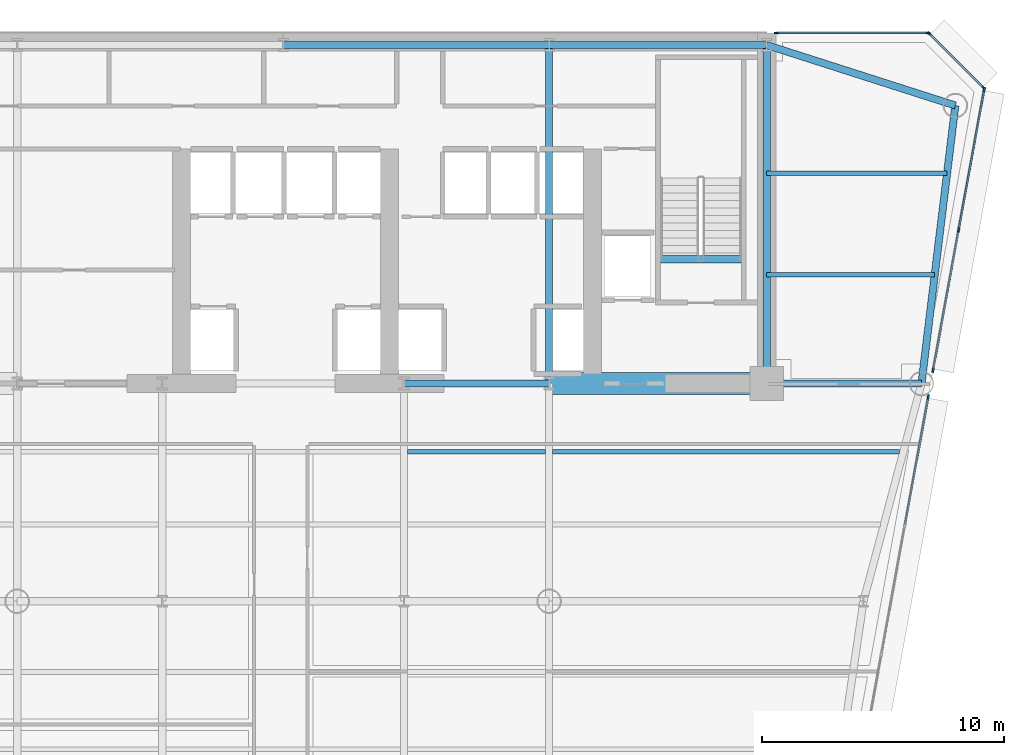
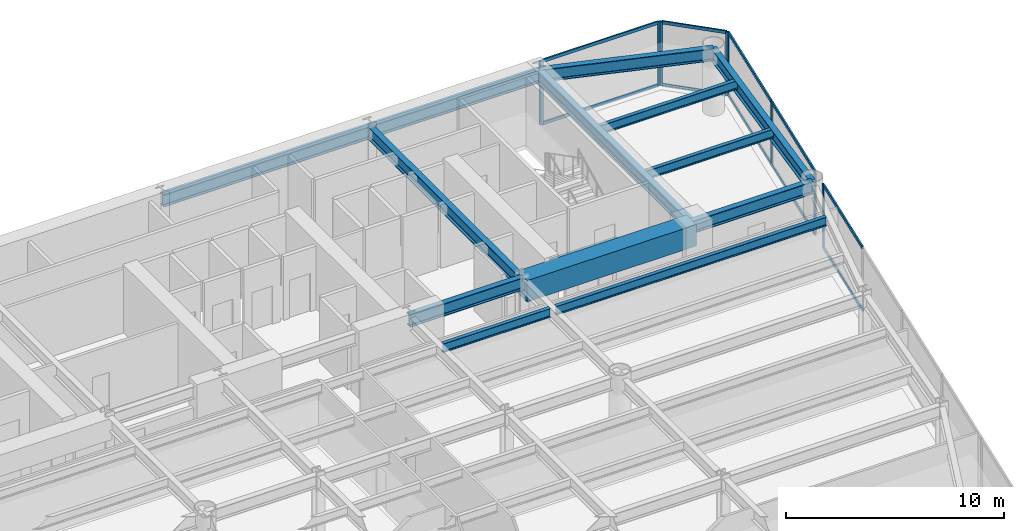
# One storey, part 6 of 14: 18 members, 14 beams, 4 elements without a shape of their own.
"""IFC4 building model written with IfcOpenShell, lengths in metres."""

from ifc_helpers import new_model, si_unit, direction, frame, origin, origin_2d, place, context, subcontext, project, spatial, rectangle, i_section, extrude, source, transform, mapped, material, layer, layer_set, material_profile, profile_set, type_object, element, aggregate, save


model = new_model("IFC4")

# Units and contexts
model_context = context("Model", 3, precision=1e-05, world=origin(), true_north=direction((0.0, 1.0)))
body_context = subcontext(model_context, "Body", "Model", "MODEL_VIEW")
ifc_project = project(units=[si_unit("LENGTHUNIT", "METRE"), si_unit("AREAUNIT", "SQUARE_METRE"), si_unit("VOLUMEUNIT", "CUBIC_METRE"), si_unit("PLANEANGLEUNIT", "RADIAN"), si_unit("MASSUNIT", "GRAM", prefix="KILO")], contexts=[model_context])

# Site, building, storey
site_placement = place(None, origin())
site = spatial("IfcSite", under=ifc_project, at=site_placement, CompositionType="ELEMENT")
building_placement = place(site_placement, origin())
building = spatial("IfcBuilding", under=site, at=building_placement, Name="Vaeldorn Concourse Tower", CompositionType="ELEMENT")
storey_placement = place(building_placement, frame((0.0, 0.0, 118.60009765625)))
storey = spatial("IfcBuildingStorey", under=building, at=storey_placement, Name="L30", CompositionType="ELEMENT", Elevation=118.60009765625)

# Beams
ifc_material_1 = material(Name="Concrete C60/75", Category="concrete")
ifc_material_profile_1 = material_profile(ifc_material_1, rectangle(XDim=0.89990234375, YDim=1.199951171875, at=origin_2d()), Name="RC 900x1200")
ifc_profile_set_1 = profile_set([ifc_material_profile_1], Name="Concrete C60/75")
beam_type_1 = type_object("IfcBeamType", Name="BM-CB-RC900", PredefinedType="BEAM", material=ifc_profile_set_1)
shared_shape_1 = source(origin(), body_context, "Body", "SweptSolid", [
    extrude(rectangle(XDim=0.89990234375, YDim=1.199951171875, at=origin_2d()), origin(), (0.0, 0.0, 1.0), 9.0),
])
beam_1_placement = place(storey_placement, frame((45.0, 36.5, 2.97998046875), z_axis=(1.0, 0.0, 0.0), x_axis=(0.0, 1.0, 0.0)))
element("IfcBeam", 1, at=beam_1_placement, inside=storey, type_object=beam_type_1, Name="Core Coupling Beam L30-2", PredefinedType="BEAM", context=body_context, shape_type="MappedRepresentation", body=[
    mapped(shared_shape_1, transform((0.0, 0.0, 0.0), scale=1.0)),
])
ifc_material_2 = material(Name="Steel S355", Category="steel")
ifc_material_profile_2 = material_profile(ifc_material_2, i_section(OverallWidth=0.300048828125, OverallDepth=0.340087890625, WebThickness=0.011962890625, FlangeThickness=0.021484375, FilletRadius=0.027099609375, at=origin_2d()), Name="HEB 340")
ifc_profile_set_2 = profile_set([ifc_material_profile_2], Name="Steel S355")
beam_type_2 = type_object("IfcBeamType", Name="BM-ST-TRIM", PredefinedType="BEAM", material=ifc_profile_set_2)
shared_shape_2 = source(origin(), body_context, "Body", "SweptSolid", [
    extrude(i_section(OverallWidth=0.300048828125, OverallDepth=0.340087890625, WebThickness=0.011962890625, FlangeThickness=0.021484375, FilletRadius=0.027099609375, at=origin_2d()), origin(), (0.0, 0.0, 1.0), 3.590087890625),
])
beam_2_placement = place(storey_placement, frame((49.47998046875, 41.639892578125, -0.39013671875), z_axis=(1.0, 0.0, 0.0), x_axis=(0.0, 1.0, 0.0)))
element("IfcBeam", 2, at=beam_2_placement, inside=storey, type_object=beam_type_2, Name="Stair Landing Trimmer Beam ST-2 L30", PredefinedType="BEAM", context=body_context, shape_type="MappedRepresentation", body=[
    mapped(shared_shape_2, transform((0.0, 0.0, 0.0), scale=1.0)),
])
ifc_material_profile_3 = material_profile(ifc_material_2, i_section(OverallWidth=0.199951171875, OverallDepth=0.5, WebThickness=0.01025390625, FlangeThickness=0.01611328125, FilletRadius=0.02099609375, at=origin_2d()), Name="IPE 500")
ifc_profile_set_3 = profile_set([ifc_material_profile_3], Name="Steel S355")
beam_type_3 = type_object("IfcBeamType", Name="BM-JS-IPE500", PredefinedType="JOIST", material=ifc_profile_set_3)
shared_shape_3 = source(origin(), body_context, "Body", "SweptSolid", [
    extrude(i_section(OverallWidth=0.199951171875, OverallDepth=0.5, WebThickness=0.01025390625, FlangeThickness=0.01611328125, FilletRadius=0.02099609375, at=origin_2d()), origin(), (0.0, 0.0, 1.0), 5.7001953125),
])
beam_3_placement = place(storey_placement, frame((39.14990234375, 33.679931640625, 3.329833984375), z_axis=(1.0, 0.0, 0.0), x_axis=(0.0, 1.0, 0.0)))
element("IfcBeam", 3, at=beam_3_placement, inside=storey, type_object=beam_type_3, Name="Beam JS-L30-E2-336", PredefinedType="JOIST", context=body_context, shape_type="MappedRepresentation", body=[
    mapped(shared_shape_3, transform((0.0, 0.0, 0.0), scale=1.0)),
])
shared_shape_4 = source(origin(), body_context, "Body", "SweptSolid", [
    extrude(i_section(OverallWidth=0.199951171875, OverallDepth=0.5, WebThickness=0.01025390625, FlangeThickness=0.01611328125, FilletRadius=0.02099609375, at=origin_2d()), origin(), (0.0, 0.0, 1.0), 6.94775390625),
])
beam_4_placement = place(storey_placement, frame((54.0, 41.0, 3.329833984375), z_axis=(1.0, 0.0, 0.0), x_axis=(0.0, 1.0, 0.0)))
element("IfcBeam", 4, at=beam_4_placement, inside=storey, type_object=beam_type_3, Name="Beam JS-L30-NE-410", PredefinedType="JOIST", context=body_context, shape_type="MappedRepresentation", body=[
    mapped(shared_shape_4, transform((0.0, 0.0, 0.0), scale=1.0)),
])
shared_shape_5 = source(origin(), body_context, "Body", "SweptSolid", [
    extrude(i_section(OverallWidth=0.199951171875, OverallDepth=0.5, WebThickness=0.01025390625, FlangeThickness=0.01611328125, FilletRadius=0.02099609375, at=origin_2d()), origin(), (0.0, 0.0, 1.0), 7.458984375),
])
beam_5_placement = place(storey_placement, frame((54.0, 45.199951171875, 3.329833984375), z_axis=(1.0, 0.0, 0.0), x_axis=(0.0, 1.0, 0.0)))
element("IfcBeam", 5, at=beam_5_placement, inside=storey, type_object=beam_type_3, Name="Beam JS-L30-NE-452", PredefinedType="JOIST", context=body_context, shape_type="MappedRepresentation", body=[
    mapped(shared_shape_5, transform((0.0, 0.0, 0.0), scale=1.0)),
])
shared_shape_6 = source(origin(), body_context, "Body", "SweptSolid", [
    extrude(i_section(OverallWidth=0.199951171875, OverallDepth=0.5, WebThickness=0.01025390625, FlangeThickness=0.01611328125, FilletRadius=0.02099609375, at=origin_2d()), origin(), (0.0, 0.0, 1.0), 14.34814453125),
])
beam_6_placement = place(storey_placement, frame((45.14990234375, 33.679931640625, 3.329833984375), z_axis=(1.0, 0.0, 0.0), x_axis=(0.0, 1.0, 0.0)))
element("IfcBeam", 6, at=beam_6_placement, inside=storey, type_object=beam_type_3, Name="Beam JS-L30-E1-336", PredefinedType="JOIST", context=body_context, shape_type="MappedRepresentation", body=[
    mapped(shared_shape_6, transform((0.0, 0.0, 0.0), scale=1.0)),
])
ifc_material_profile_4 = material_profile(ifc_material_2, i_section(OverallWidth=0.300048828125, OverallDepth=0.699951171875, WebThickness=0.01708984375, FlangeThickness=0.031982421875, FilletRadius=0.027099609375, at=origin_2d()), Name="HEB 700")
ifc_profile_set_4 = profile_set([ifc_material_profile_4], Name="Steel S355")
beam_type_4 = type_object("IfcBeamType", Name="BM-PG-HEB700", PredefinedType="BEAM", material=ifc_profile_set_4)
shared_shape_7 = source(origin(), body_context, "Body", "SweptSolid", [
    extrude(i_section(OverallWidth=0.300048828125, OverallDepth=0.699951171875, WebThickness=0.01708984375, FlangeThickness=0.031982421875, FilletRadius=0.027099609375, at=origin_2d()), origin(), (0.0, 0.0, 1.0), 6.0),
])
beam_7_placement = place(storey_placement, frame((39.0, 36.5, 3.22998046875), z_axis=(1.0, 0.0, 0.0), x_axis=(0.0, 1.0, 0.0)))
element("IfcBeam", 7, at=beam_7_placement, inside=storey, type_object=beam_type_4, Name="Beam BM-L30-C-FC4-C-FC5", PredefinedType="BEAM", context=body_context, shape_type="MappedRepresentation", body=[
    mapped(shared_shape_7, transform((0.0, 0.0, 0.0), scale=1.0)),
])
shared_shape_8 = source(origin(), body_context, "Body", "SweptSolid", [
    extrude(i_section(OverallWidth=0.300048828125, OverallDepth=0.699951171875, WebThickness=0.01708984375, FlangeThickness=0.031982421875, FilletRadius=0.027099609375, at=origin_2d()), origin(), (0.0, 0.0, 1.0), 9.0),
])
beam_8_placement = place(storey_placement, frame((45.0, 50.5, 3.22998046875), z_axis=(1.0, 0.0, 0.0), x_axis=(0.0, 1.0, 0.0)))
element("IfcBeam", 8, at=beam_8_placement, inside=storey, type_object=beam_type_4, Name="Beam BM-L30-C-HC4-C-HC5", PredefinedType="BEAM", context=body_context, shape_type="MappedRepresentation", body=[
    mapped(shared_shape_8, transform((0.0, 0.0, 0.0), scale=1.0)),
])
shared_shape_9 = source(origin(), body_context, "Body", "SweptSolid", [
    extrude(i_section(OverallWidth=0.300048828125, OverallDepth=0.699951171875, WebThickness=0.01708984375, FlangeThickness=0.031982421875, FilletRadius=0.027099609375, at=origin_2d()), origin(), (0.0, 0.0, 1.0), 11.0),
])
beam_9_placement = place(storey_placement, frame((34.0, 50.5, 3.22998046875), z_axis=(1.0, 0.0, 0.0), x_axis=(0.0, 1.0, 0.0)))
element("IfcBeam", 9, at=beam_9_placement, inside=storey, type_object=beam_type_4, Name="Beam BM-L30-C-HC3-C-HC4", PredefinedType="BEAM", context=body_context, shape_type="MappedRepresentation", body=[
    mapped(shared_shape_9, transform((0.0, 0.0, 0.0), scale=1.0)),
])
shared_shape_10 = source(origin(), body_context, "Body", "SweptSolid", [
    extrude(i_section(OverallWidth=0.300048828125, OverallDepth=0.699951171875, WebThickness=0.01708984375, FlangeThickness=0.031982421875, FilletRadius=0.027099609375, at=origin_2d()), origin(), (0.0, 0.0, 1.0), 14.0),
])
for number, where, z_axis, x_axis, name in (
    (10, (45.0, 36.5, 3.22998046875), (0.0, 1.0, 0.0), (-1.0, 0.0, 0.0), "Beam BM-L30-C-FC5-C-HC4"),
    (11, (54.0, 36.5, 3.22998046875), (0.0, 1.0, 0.0), (-1.0, 0.0, 0.0), "Beam BM-L30-C-FC6-C-HC5"),
):
    element("IfcBeam", number, at=place(storey_placement, frame(where, z_axis=z_axis, x_axis=x_axis)), inside=storey, type_object=beam_type_4, Name=name, PredefinedType="BEAM", context=body_context, shape_type="MappedRepresentation", body=[
        mapped(shared_shape_10, transform((0.0, 0.0, 0.0), scale=1.0)),
    ])
shared_shape_11 = source(origin(), body_context, "Body", "SweptSolid", [
    extrude(i_section(OverallWidth=0.300048828125, OverallDepth=0.699951171875, WebThickness=0.01708984375, FlangeThickness=0.031982421875, FilletRadius=0.027099609375, at=origin_2d()), origin(), (0.0, 0.0, 1.0), 8.19091796875),
])
beam_10_placement = place(storey_placement, frame((54.0, 50.5, 3.22998046875), z_axis=(0.952282843383, -0.305216949396, 0.0), x_axis=(0.305216949396, 0.952282843383, 0.0)))
element("IfcBeam", 12, at=beam_10_placement, inside=storey, type_object=beam_type_4, Name="Beam BM-L30-C-HC5-C-NE1", PredefinedType="BEAM", context=body_context, shape_type="MappedRepresentation", body=[
    mapped(shared_shape_11, transform((0.0, 0.0, 0.0), scale=1.0)),
])
shared_shape_12 = source(origin(), body_context, "Body", "SweptSolid", [
    extrude(i_section(OverallWidth=0.300048828125, OverallDepth=0.699951171875, WebThickness=0.01708984375, FlangeThickness=0.031982421875, FilletRadius=0.027099609375, at=origin_2d()), origin(), (0.0, 0.0, 1.0), 11.5849609375),
])
beam_11_placement = place(storey_placement, frame((61.800048828125, 48.0, 3.22998046875), z_axis=(-0.120859382899, -0.992669637677, 0.0), x_axis=(0.992669637677, -0.120859382899, 0.0)))
element("IfcBeam", 13, at=beam_11_placement, inside=storey, type_object=beam_type_4, Name="Beam BM-L30-C-NE1-C-NE2", PredefinedType="BEAM", context=body_context, shape_type="MappedRepresentation", body=[
    mapped(shared_shape_12, transform((0.0, 0.0, 0.0), scale=1.0)),
])
shared_shape_13 = source(origin(), body_context, "Body", "SweptSolid", [
    extrude(i_section(OverallWidth=0.300048828125, OverallDepth=0.699951171875, WebThickness=0.01708984375, FlangeThickness=0.031982421875, FilletRadius=0.027099609375, at=origin_2d()), origin(), (0.0, 0.0, 1.0), 6.39990234375),
])
beam_12_placement = place(storey_placement, frame((54.0, 36.5, 3.22998046875), z_axis=(1.0, 0.0, 0.0), x_axis=(0.0, 1.0, 0.0)))
element("IfcBeam", 14, at=beam_12_placement, inside=storey, type_object=beam_type_4, Name="Beam BM-L30-C-FC6-C-NE2", PredefinedType="BEAM", context=body_context, shape_type="MappedRepresentation", body=[
    mapped(shared_shape_13, transform((0.0, 0.0, 0.0), scale=1.0)),
])

# Curtain wall, members
ifc_material_3 = material(Name="Anodised Bronze Aluminium", Category="aluminium")
ifc_layer = layer(ifc_material_3, 0.199951171875)
ifc_layer_set = layer_set([ifc_layer], Name="Anodised Bronze Aluminium")
curtain_wall_type = type_object("IfcCurtainWallType", Name="CW-SYS-02", PredefinedType="NOTDEFINED", material=ifc_layer_set)
curtain_wall_1_placement = place(storey_placement, origin())
curtain_wall_1 = element("IfcCurtainWall", 15, at=curtain_wall_1_placement, inside=storey, type_object=curtain_wall_type, Name="Unitised Curtain Wall CW-L30-E08-1", PredefinedType="NOTDEFINED")
ifc_material_profile_5 = material_profile(ifc_material_3, rectangle(XDim=0.074951171875, YDim=0.179931640625, at=origin_2d()), Name="CWT 75x180")
ifc_profile_set_5 = profile_set([ifc_material_profile_5], Name="Anodised Bronze Aluminium")
member_type_1 = type_object("IfcMemberType", Name="CWT-BRONZE-180", PredefinedType="USERDEFINED", material=ifc_profile_set_5)
shared_shape_14 = source(origin(), body_context, "Body", "SweptSolid", [
    extrude(rectangle(XDim=0.074951171875, YDim=0.179931640625, at=origin_2d()), origin(), (0.0, 0.0, 1.0), 3.10302734375),
])
member_1_placement = place(storey_placement, frame((62.947021484375, 48.7529296875, 0.037353515625), z_axis=(-0.707106781187, 0.707106781187, 0.0), x_axis=(-0.707106781187, -0.707106781187, 0.0)))
member_1 = element("IfcMember", 16, at=member_1_placement, type_object=member_type_1, Name="CW-02 transom 1.1", ObjectType="TRANSOM", PredefinedType="USERDEFINED", context=body_context, shape_type="MappedRepresentation", body=[
    mapped(shared_shape_14, transform((0.0, 0.0, 0.0), scale=1.0)),
])
member_2_placement = place(storey_placement, frame((62.947021484375, 48.7529296875, 3.54248046875), z_axis=(-0.707106781187, 0.707106781187, 0.0), x_axis=(-0.707106781187, -0.707106781187, 0.0)))
member_2 = element("IfcMember", 17, at=member_2_placement, type_object=member_type_1, Name="CW-02 transom 1.2", ObjectType="TRANSOM", PredefinedType="USERDEFINED", context=body_context, shape_type="MappedRepresentation", body=[
    mapped(shared_shape_14, transform((0.0, 0.0, 0.0), scale=1.0)),
])

curtain_wall_2_placement = place(storey_placement, origin())
curtain_wall_2 = element("IfcCurtainWall", 18, at=curtain_wall_2_placement, inside=storey, type_object=curtain_wall_type, Name="Unitised Curtain Wall CW-L30-E09-1", PredefinedType="NOTDEFINED")
shared_shape_15 = source(origin(), body_context, "Body", "SweptSolid", [
    extrude(rectangle(XDim=0.074951171875, YDim=0.179931640625, at=origin_2d()), origin(), (0.0, 0.0, 1.0), 6.179931640625),
])
member_3_placement = place(storey_placement, frame((60.625, 51.0, 0.037353515625), z_axis=(-1.0, 0.0, 0.0), x_axis=(0.0, -1.0, 0.0)))
member_3 = element("IfcMember", 19, at=member_3_placement, type_object=member_type_1, Name="CW-02 transom 1.1", ObjectType="TRANSOM", PredefinedType="USERDEFINED", context=body_context, shape_type="MappedRepresentation", body=[
    mapped(shared_shape_15, transform((0.0, 0.0, 0.0), scale=1.0)),
])
member_4_placement = place(storey_placement, frame((60.625, 51.0, 3.54248046875), z_axis=(-1.0, 0.0, 0.0), x_axis=(0.0, -1.0, 0.0)))
member_4 = element("IfcMember", 20, at=member_4_placement, type_object=member_type_1, Name="CW-02 transom 1.2", ObjectType="TRANSOM", PredefinedType="USERDEFINED", context=body_context, shape_type="MappedRepresentation", body=[
    mapped(shared_shape_15, transform((0.0, 0.0, 0.0), scale=1.0)),
])

# Curtain wall, member
curtain_wall_3_placement = place(storey_placement, origin())
curtain_wall_3 = element("IfcCurtainWall", 21, at=curtain_wall_3_placement, inside=storey, type_object=curtain_wall_type, Name="Unitised Curtain Wall CW-L30-E07-1", PredefinedType="NOTDEFINED")
ifc_material_profile_6 = material_profile(ifc_material_3, rectangle(XDim=0.074951171875, YDim=0.18994140625, at=origin_2d()), Name="CWM 75x190")
ifc_profile_set_6 = profile_set([ifc_material_profile_6], Name="Anodised Bronze Aluminium")
member_type_2 = type_object("IfcMemberType", Name="CWM-BRONZE-190", PredefinedType="MULLION", material=ifc_profile_set_6)
shared_shape_16 = source(origin(), body_context, "Body", "SweptSolid", [
    extrude(rectangle(XDim=0.074951171875, YDim=0.18994140625, at=origin_2d()), origin(), (0.0, 0.0, 1.0), 3.579833984375),
])
member_5_placement = place(storey_placement, frame((60.678955078125, 35.945068359375, 0.0), z_axis=(0.0, 0.0, 1.0), x_axis=(-0.983843539412, 0.179030416291, 0.0)))
member_5 = element("IfcMember", 22, at=member_5_placement, type_object=member_type_2, Name="CW-02 mullion 7", PredefinedType="MULLION", context=body_context, shape_type="MappedRepresentation", body=[
    mapped(shared_shape_16, transform((0.0, 0.0, 0.0), scale=1.0)),
])

# Curtain wall, members
curtain_wall_4_placement = place(storey_placement, origin())
curtain_wall_4 = element("IfcCurtainWall", 23, at=curtain_wall_4_placement, inside=storey, type_object=curtain_wall_type, Name="Unitised Curtain Wall CW-L30-E07-2", PredefinedType="NOTDEFINED")
member_6_placement = place(storey_placement, frame((60.880859375, 37.054931640625, 0.0), z_axis=(0.0, 0.0, 1.0), x_axis=(-0.983843218663, 0.179032178925, 0.0)))
member_6 = element("IfcMember", 24, at=member_6_placement, type_object=member_type_2, Name="CW-02 mullion 1", PredefinedType="MULLION", context=body_context, shape_type="MappedRepresentation", body=[
    mapped(shared_shape_16, transform((0.0, 0.0, 0.0), scale=1.0)),
])
member_7_placement = place(storey_placement, frame((61.93701171875, 42.85888671875, 0.0), z_axis=(0.0, 0.0, 1.0), x_axis=(-0.983843218663, 0.179032178925, 0.0)))
member_7 = element("IfcMember", 25, at=member_7_placement, type_object=member_type_2, Name="CW-02 mullion 2", PredefinedType="MULLION", context=body_context, shape_type="MappedRepresentation", body=[
    mapped(shared_shape_16, transform((0.0, 0.0, 0.0), scale=1.0)),
])
member_8_placement = place(storey_placement, frame((62.993408203125, 48.6630859375, 0.0), z_axis=(0.0, 0.0, 1.0), x_axis=(-0.983843218663, 0.179032178925, 0.0)))
member_8 = element("IfcMember", 26, at=member_8_placement, type_object=member_type_2, Name="CW-02 mullion 3", PredefinedType="MULLION", context=body_context, shape_type="MappedRepresentation", body=[
    mapped(shared_shape_16, transform((0.0, 0.0, 0.0), scale=1.0)),
])

# Member
member_9_placement = place(storey_placement, frame((62.973388671875, 48.7265625, 0.0), z_axis=(0.0, 0.0, 1.0), x_axis=(-0.707106781187, -0.707106781187, 0.0)))
member_9 = element("IfcMember", 27, at=member_9_placement, type_object=member_type_2, Name="CW-02 mullion 1", PredefinedType="MULLION", context=body_context, shape_type="MappedRepresentation", body=[
    mapped(shared_shape_16, transform((0.0, 0.0, 0.0), scale=1.0)),
])

member_10_placement = place(storey_placement, frame((60.7265625, 50.973388671875, 0.0), z_axis=(0.0, 0.0, 1.0), x_axis=(-0.707106781187, -0.707106781187, 0.0)))
member_10 = element("IfcMember", 28, at=member_10_placement, type_object=member_type_2, Name="CW-02 mullion 2", PredefinedType="MULLION", context=body_context, shape_type="MappedRepresentation", body=[
    mapped(shared_shape_16, transform((0.0, 0.0, 0.0), scale=1.0)),
])

aggregate(curtain_wall_1, [member_9, member_10, member_1, member_2])

member_11_placement = place(storey_placement, frame((60.66259765625, 51.0, 0.0), z_axis=(0.0, 0.0, 1.0), x_axis=(0.0, -1.0, 0.0)))
member_11 = element("IfcMember", 29, at=member_11_placement, type_object=member_type_2, Name="CW-02 mullion 1", PredefinedType="MULLION", context=body_context, shape_type="MappedRepresentation", body=[
    mapped(shared_shape_16, transform((0.0, 0.0, 0.0), scale=1.0)),
])

member_12_placement = place(storey_placement, frame((54.407470703125, 51.0, 0.0), z_axis=(0.0, 0.0, 1.0), x_axis=(0.0, -1.0, 0.0)))
member_12 = element("IfcMember", 30, at=member_12_placement, type_object=member_type_2, Name="CW-02 mullion 2", PredefinedType="MULLION", context=body_context, shape_type="MappedRepresentation", body=[
    mapped(shared_shape_16, transform((0.0, 0.0, 0.0), scale=1.0)),
])

aggregate(curtain_wall_2, [member_11, member_12, member_3, member_4])

shared_shape_17 = source(origin(), body_context, "Body", "SweptSolid", [
    extrude(rectangle(XDim=0.074951171875, YDim=0.179931640625, at=origin_2d()), origin(), (0.0, 0.0, 1.0), 5.309814453125),
])
member_13_placement = place(storey_placement, frame((59.7216796875, 30.68408203125, 0.037353515625), z_axis=(0.179039187182, 0.983841943329, 0.0), x_axis=(-0.983841943329, 0.179039187182, 0.0)))
member_13 = element("IfcMember", 31, at=member_13_placement, type_object=member_type_1, Name="CW-02 transom 6.1", ObjectType="TRANSOM", PredefinedType="USERDEFINED", context=body_context, shape_type="MappedRepresentation", body=[
    mapped(shared_shape_17, transform((0.0, 0.0, 0.0), scale=1.0)),
])

member_14_placement = place(storey_placement, frame((59.7216796875, 30.68408203125, 3.54248046875), z_axis=(0.179039187182, 0.983841943329, 0.0), x_axis=(-0.983841943329, 0.179039187182, 0.0)))
member_14 = element("IfcMember", 32, at=member_14_placement, type_object=member_type_1, Name="CW-02 transom 6.2", ObjectType="TRANSOM", PredefinedType="USERDEFINED", context=body_context, shape_type="MappedRepresentation", body=[
    mapped(shared_shape_17, transform((0.0, 0.0, 0.0), scale=1.0)),
])

aggregate(curtain_wall_3, [member_5, member_13, member_14])

shared_shape_18 = source(origin(), body_context, "Body", "SweptSolid", [
    extrude(rectangle(XDim=0.074951171875, YDim=0.179931640625, at=origin_2d()), origin(), (0.0, 0.0, 1.0), 5.82421875),
])
member_15_placement = place(storey_placement, frame((60.8876953125, 37.091796875, 0.037353515625), z_axis=(0.17902929687, 0.983843743113, 0.0), x_axis=(-0.983843743113, 0.17902929687, 0.0)))
member_15 = element("IfcMember", 33, at=member_15_placement, type_object=member_type_1, Name="CW-02 transom 1.1", ObjectType="TRANSOM", PredefinedType="USERDEFINED", context=body_context, shape_type="MappedRepresentation", body=[
    mapped(shared_shape_18, transform((0.0, 0.0, 0.0), scale=1.0)),
])

member_16_placement = place(storey_placement, frame((60.8876953125, 37.091796875, 3.54248046875), z_axis=(0.17902929687, 0.983843743113, 0.0), x_axis=(-0.983843743113, 0.17902929687, 0.0)))
member_16 = element("IfcMember", 34, at=member_16_placement, type_object=member_type_1, Name="CW-02 transom 1.2", ObjectType="TRANSOM", PredefinedType="USERDEFINED", context=body_context, shape_type="MappedRepresentation", body=[
    mapped(shared_shape_18, transform((0.0, 0.0, 0.0), scale=1.0)),
])

member_17_placement = place(storey_placement, frame((61.94384765625, 42.89599609375, 0.037353515625), z_axis=(0.17902929687, 0.983843743113, 0.0), x_axis=(-0.983843743113, 0.17902929687, 0.0)))
member_17 = element("IfcMember", 35, at=member_17_placement, type_object=member_type_1, Name="CW-02 transom 2.1", ObjectType="TRANSOM", PredefinedType="USERDEFINED", context=body_context, shape_type="MappedRepresentation", body=[
    mapped(shared_shape_18, transform((0.0, 0.0, 0.0), scale=1.0)),
])

member_18_placement = place(storey_placement, frame((61.94384765625, 42.89599609375, 3.54248046875), z_axis=(0.17902929687, 0.983843743113, 0.0), x_axis=(-0.983843743113, 0.17902929687, 0.0)))
member_18 = element("IfcMember", 36, at=member_18_placement, type_object=member_type_1, Name="CW-02 transom 2.2", ObjectType="TRANSOM", PredefinedType="USERDEFINED", context=body_context, shape_type="MappedRepresentation", body=[
    mapped(shared_shape_18, transform((0.0, 0.0, 0.0), scale=1.0)),
])

aggregate(curtain_wall_4, [member_6, member_7, member_8, member_15, member_16, member_17, member_18])

save(model, "model.ifc")
